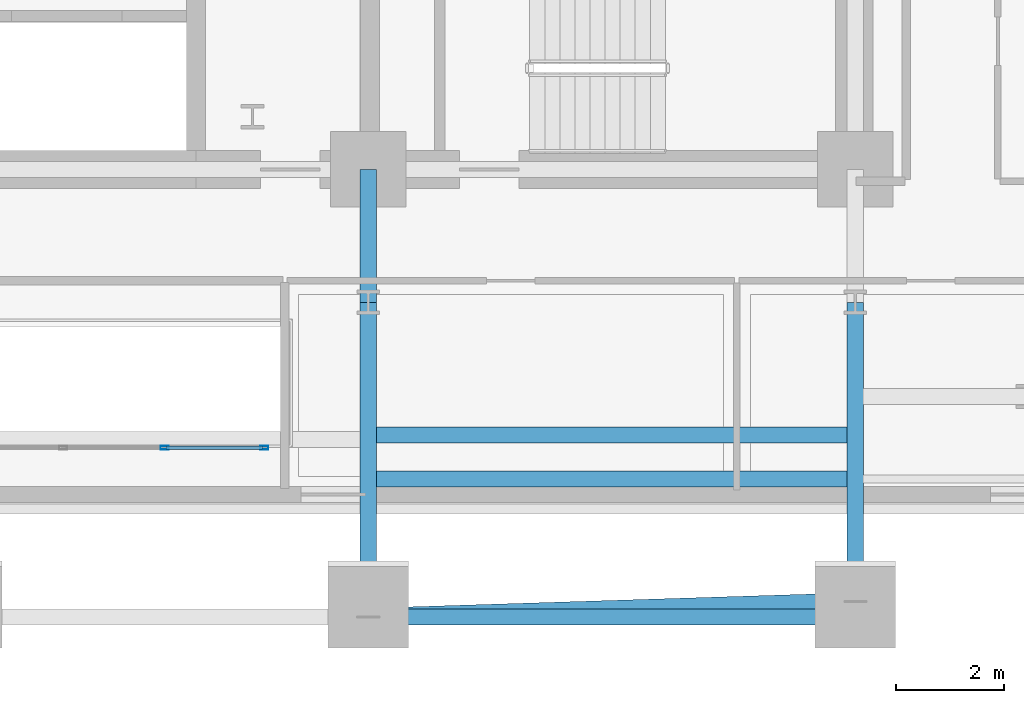
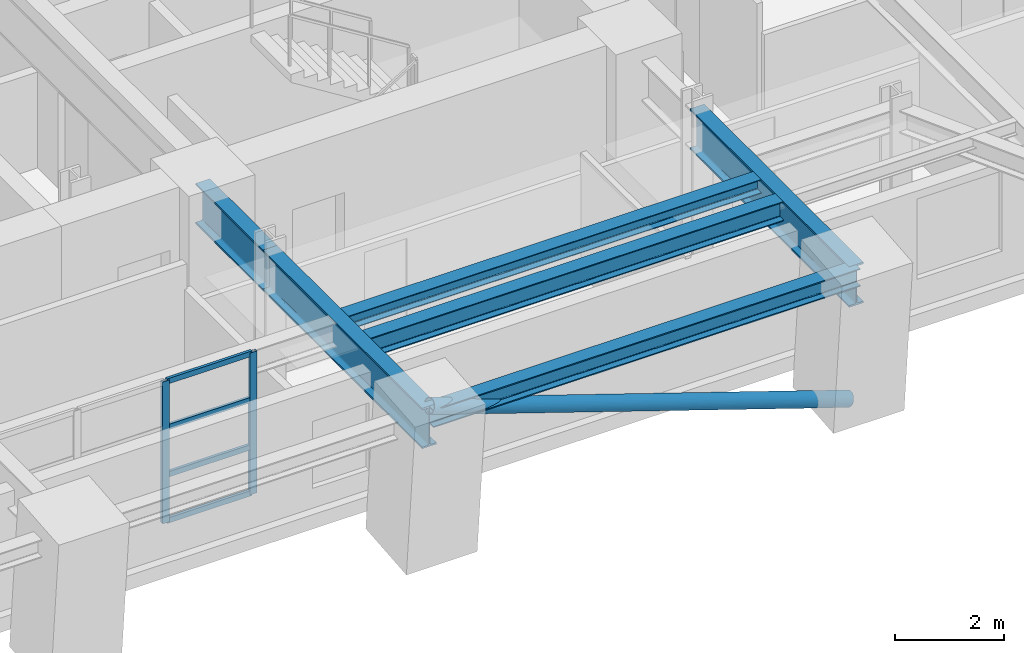
# One storey, part 4 of 15: 7 members, 6 beams, 1 element without a shape of its own.
"""IFC4 building model written with IfcOpenShell, lengths in metres."""

from ifc_helpers import new_model, si_unit, direction, frame, origin, origin_2d, place, context, subcontext, project, spatial, hollow_rectangle, hollow_circle, i_section, extrude, material, layer, layer_set, material_profile, profile_set, type_object, element, aggregate, save


model = new_model("IFC4")

# Units and contexts
model_context = context("Model", 3, precision=1e-05, world=origin(), true_north=direction((0.0, 1.0)))
body_context = subcontext(model_context, "Body", "Model", "MODEL_VIEW")
ifc_project = project(units=[si_unit("LENGTHUNIT", "METRE"), si_unit("AREAUNIT", "SQUARE_METRE"), si_unit("VOLUMEUNIT", "CUBIC_METRE"), si_unit("PLANEANGLEUNIT", "RADIAN"), si_unit("MASSUNIT", "GRAM", prefix="KILO")], contexts=[model_context])

# Site, building, storey
site_placement = place(None, origin())
site = spatial("IfcSite", under=ifc_project, at=site_placement, CompositionType="ELEMENT")
building_placement = place(site_placement, origin())
building = spatial("IfcBuilding", under=site, at=building_placement, Name="Zarnavel Station Tower", CompositionType="ELEMENT")
storey_placement = place(building_placement, frame((0.0, 0.0, 71.0)))
storey = spatial("IfcBuildingStorey", under=building, at=storey_placement, Name="L19", CompositionType="ELEMENT", Elevation=71.0)

# Curtain wall, members
ifc_material_1 = material(Name="Aluminium Dark Anodised and Solar-Control Glass", Category="aluminium")
ifc_layer = layer(ifc_material_1, 0.179931640625)
ifc_layer_set = layer_set([ifc_layer], Name="CWS2")
curtain_wall_type = type_object("IfcCurtainWallType", Name="CWS2", PredefinedType="NOTDEFINED", material=ifc_layer_set)
curtain_wall_placement = place(storey_placement, origin())
curtain_wall = element("IfcCurtainWall", 1, at=curtain_wall_placement, inside=storey, type_object=curtain_wall_type, Name="L19 Curtain Wall CWS2-L19-AS", PredefinedType="NOTDEFINED")
ifc_material_2 = material(Name="Steel S355J2 (Black Fluoropolymer Coated)", Category="steel")
ifc_material_profile_1 = material_profile(ifc_material_2, hollow_rectangle(XDim=0.074951171875, YDim=0.14990234375, WallThickness=0.00634765625, at=origin_2d()), Name="RHS150x75x6.3")
ifc_profile_set_1 = profile_set([ifc_material_profile_1], Name="Steel S355J2 (Black Fluoropolymer Coated)")
member_type_1 = type_object("IfcMemberType", Name="CWS2_MUL", PredefinedType="MULLION", material=ifc_profile_set_1)
member_1_placement = place(storey_placement, frame((32.566650390625, 22.64990234375, 0.0), z_axis=(0.0, 0.0, 1.0), x_axis=(0.0, 1.0, 0.0)))
member_1 = element("IfcMember", 2, at=member_1_placement, type_object=member_type_1, Name="CW2 mullion 6", PredefinedType="MULLION", context=body_context, shape_type="SweptSolid", body=[
    extrude(hollow_rectangle(XDim=0.074951171875, YDim=0.14990234375, WallThickness=0.00634765625, at=origin_2d()), origin(), (0.0, 0.0, 1.0), 3.179931640625),
])
member_2_placement = place(storey_placement, frame((34.419921875, 22.64990234375, 0.0), z_axis=(0.0, 0.0, 1.0), x_axis=(0.0, 1.0, 0.0)))
member_2 = element("IfcMember", 3, at=member_2_placement, type_object=member_type_1, Name="CW2 mullion 7", PredefinedType="MULLION", context=body_context, shape_type="SweptSolid", body=[
    extrude(hollow_rectangle(XDim=0.074951171875, YDim=0.14990234375, WallThickness=0.00634765625, at=origin_2d()), origin(), (0.0, 0.0, 1.0), 3.179931640625),
])
ifc_material_3 = material(Name="Steel S355J2 (Black Fluoropolymer Coated)", Category="steel")
ifc_material_profile_2 = material_profile(ifc_material_3, hollow_rectangle(XDim=0.06005859375, YDim=0.1201171875, WallThickness=0.0048828125, at=origin_2d()), Name="RHS120x60x5")
ifc_profile_set_2 = profile_set([ifc_material_profile_2], Name="Steel S355J2 (Black Fluoropolymer Coated)")
member_type_2 = type_object("IfcMemberType", Name="CWS2_TRN", PredefinedType="USERDEFINED", material=ifc_profile_set_2)
member_3_placement = place(storey_placement, frame((32.5966796875, 22.64990234375, 0.030029296875), z_axis=(1.0, 0.0, 0.0), x_axis=(0.0, 1.0, 0.0)))
member_3 = element("IfcMember", 4, at=member_3_placement, type_object=member_type_2, Name="CW2 transom 6.1", ObjectType="TRANSOM", PredefinedType="USERDEFINED", context=body_context, shape_type="SweptSolid", body=[
    extrude(hollow_rectangle(XDim=0.06005859375, YDim=0.1201171875, WallThickness=0.0048828125, at=origin_2d()), origin(), (0.0, 0.0, 1.0), 1.793212890625),
])
member_4_placement = place(storey_placement, frame((32.5966796875, 22.64990234375, 1.06005859375), z_axis=(1.0, 0.0, 0.0), x_axis=(0.0, 1.0, 0.0)))
member_4 = element("IfcMember", 5, at=member_4_placement, type_object=member_type_2, Name="CW2 transom 6.2", ObjectType="TRANSOM", PredefinedType="USERDEFINED", context=body_context, shape_type="SweptSolid", body=[
    extrude(hollow_rectangle(XDim=0.06005859375, YDim=0.1201171875, WallThickness=0.0048828125, at=origin_2d()), origin(), (0.0, 0.0, 1.0), 1.793212890625),
])
member_5_placement = place(storey_placement, frame((32.5966796875, 22.64990234375, 2.1201171875), z_axis=(1.0, 0.0, 0.0), x_axis=(0.0, 1.0, 0.0)))
member_5 = element("IfcMember", 6, at=member_5_placement, type_object=member_type_2, Name="CW2 transom 6.3", ObjectType="TRANSOM", PredefinedType="USERDEFINED", context=body_context, shape_type="SweptSolid", body=[
    extrude(hollow_rectangle(XDim=0.06005859375, YDim=0.1201171875, WallThickness=0.0048828125, at=origin_2d()), origin(), (0.0, 0.0, 1.0), 1.793212890625),
])
member_6_placement = place(storey_placement, frame((32.5966796875, 22.64990234375, 3.14990234375), z_axis=(1.0, 0.0, 0.0), x_axis=(0.0, 1.0, 0.0)))
member_6 = element("IfcMember", 7, at=member_6_placement, type_object=member_type_2, Name="CW2 transom 6.4", ObjectType="TRANSOM", PredefinedType="USERDEFINED", context=body_context, shape_type="SweptSolid", body=[
    extrude(hollow_rectangle(XDim=0.06005859375, YDim=0.1201171875, WallThickness=0.0048828125, at=origin_2d()), origin(), (0.0, 0.0, 1.0), 1.793212890625),
])
aggregate(curtain_wall, [member_1, member_2, member_3, member_4, member_5, member_6])

# Member
ifc_material_4 = material(Name="Steel S355J2", Category="steel")
ifc_material_profile_3 = material_profile(ifc_material_4, hollow_circle(Radius=0.161865234375, WallThickness=0.012451171875, at=origin_2d()), Name="CHS323.9x12.5")
ifc_profile_set_3 = profile_set([ifc_material_profile_3], Name="Steel S355J2")
member_type_3 = type_object("IfcMemberType", Name="DB_EXT_CHS324", PredefinedType="BRACE", material=ifc_profile_set_3)
member_7_placement = place(storey_placement, frame((45.39990234375, 19.7939453125, 0.0), z_axis=(-0.943026111745, -0.030019715438, 0.331361689476), x_axis=(0.031817270124, -0.999493702492, 0.0)))
element("IfcMember", 8, at=member_7_placement, inside=storey, type_object=member_type_3, Name="L19 Persian Exterior Diagonal Frame Brace 2", PredefinedType="BRACE", context=body_context, shape_type="SweptSolid", body=[
    extrude(hollow_circle(Radius=0.161865234375, WallThickness=0.012451171875, at=origin_2d()), origin(), (0.0, 0.0, 1.0), 9.5966796875),
])

# Beams
ifc_material_5 = material(Name="Steel S355J2", Category="steel")
ifc_material_profile_4 = material_profile(ifc_material_5, i_section(OverallWidth=0.300048828125, OverallDepth=0.39990234375, WebThickness=0.013427734375, FlangeThickness=0.02392578125, FilletRadius=0.027099609375, at=origin_2d()), Name="HEB400")
ifc_profile_set_4 = profile_set([ifc_material_profile_4], Name="Steel S355J2")
beam_type_1 = type_object("IfcBeamType", Name="EB_HEB400", PredefinedType="SPANDREL", material=ifc_profile_set_4)
beam_1_placement = place(storey_placement, frame((36.35009765625, 19.505859375, 2.97998046875), z_axis=(1.0, 0.0, 0.0), x_axis=(0.0, 1.0, 0.0)))
element("IfcBeam", 9, at=beam_1_placement, inside=storey, type_object=beam_type_1, Name="L19 South Raked Spandrel 4", PredefinedType="SPANDREL", context=body_context, shape_type="SweptSolid", body=[
    extrude(i_section(OverallWidth=0.300048828125, OverallDepth=0.39990234375, WebThickness=0.013427734375, FlangeThickness=0.02392578125, FilletRadius=0.027099609375, at=origin_2d()), origin(), (0.0, 0.0, 1.0), 9.0498046875),
])
ifc_material_6 = material(Name="Steel S355J2", Category="steel")
ifc_material_profile_5 = material_profile(ifc_material_6, i_section(OverallWidth=0.300048828125, OverallDepth=0.31005859375, WebThickness=0.009033203125, FlangeThickness=0.015380859375, FilletRadius=0.027099609375, at=origin_2d()), Name="HEA320")
ifc_profile_set_5 = profile_set([ifc_material_profile_5], Name="Steel S355J2")
beam_type_2 = type_object("IfcBeamType", Name="FB_HEA320", PredefinedType="BEAM", material=ifc_profile_set_5)
beam_2_placement = place(storey_placement, frame((36.4951171875, 22.88525390625, 3.02490234375), z_axis=(1.0, 0.0, 0.0), x_axis=(0.0, 1.0, 0.0)))
element("IfcBeam", 10, at=beam_2_placement, inside=storey, type_object=beam_type_2, Name="L19 East Bay Beam 2", PredefinedType="BEAM", context=body_context, shape_type="SweptSolid", body=[
    extrude(i_section(OverallWidth=0.300048828125, OverallDepth=0.31005859375, WebThickness=0.009033203125, FlangeThickness=0.015380859375, FilletRadius=0.027099609375, at=origin_2d()), origin(), (0.0, 0.0, 1.0), 8.759765625),
])
ifc_material_7 = material(Name="Steel S355J2", Category="steel")
ifc_material_profile_6 = material_profile(ifc_material_7, i_section(OverallWidth=0.300048828125, OverallDepth=0.43994140625, WebThickness=0.011474609375, FlangeThickness=0.02099609375, FilletRadius=0.027099609375, at=origin_2d()), Name="HEA450")
ifc_profile_set_6 = profile_set([ifc_material_profile_6], Name="Steel S355J2")
beam_type_3 = type_object("IfcBeamType", Name="FB_HEA450", PredefinedType="BEAM", material=ifc_profile_set_6)
beam_3_placement = place(storey_placement, frame((36.4951171875, 22.070556640625, 2.9599609375), z_axis=(1.0, 0.0, 0.0), x_axis=(0.0, 1.0, 0.0)))
element("IfcBeam", 11, at=beam_3_placement, inside=storey, type_object=beam_type_3, Name="L19 East Bay Beam 1", PredefinedType="BEAM", context=body_context, shape_type="SweptSolid", body=[
    extrude(i_section(OverallWidth=0.300048828125, OverallDepth=0.43994140625, WebThickness=0.011474609375, FlangeThickness=0.02099609375, FilletRadius=0.027099609375, at=origin_2d()), origin(), (0.0, 0.0, 1.0), 8.759765625),
])
ifc_material_8 = material(Name="Steel S460M", Category="steel")
ifc_material_profile_7 = material_profile(ifc_material_8, i_section(OverallWidth=0.302001953125, OverallDepth=0.909912109375, WebThickness=0.02099609375, FlangeThickness=0.0400390625, FilletRadius=0.030029296875, at=origin_2d()), Name="HEM900")
ifc_profile_set_7 = profile_set([ifc_material_profile_7], Name="Steel S460M")
beam_type_4 = type_object("IfcBeamType", Name="TG_HEM900", PredefinedType="USERDEFINED", material=ifc_profile_set_7)
beam_4_placement = place(storey_placement, frame((36.35009765625, 19.505859375, 2.72509765625), z_axis=(0.0, 1.0, 0.0), x_axis=(-1.0, 0.0, 0.0)))
element("IfcBeam", 12, at=beam_4_placement, inside=storey, type_object=beam_type_4, Name="L19 South-Zone NS Girder 4", ObjectType="GIRDER", PredefinedType="USERDEFINED", context=body_context, shape_type="SweptSolid", body=[
    extrude(i_section(OverallWidth=0.302001953125, OverallDepth=0.909912109375, WebThickness=0.02099609375, FlangeThickness=0.0400390625, FilletRadius=0.030029296875, at=origin_2d()), origin(), (0.0, 0.0, 1.0), 5.84423828125),
])
beam_5_placement = place(storey_placement, frame((36.35009765625, 25.35009765625, 2.72509765625), z_axis=(0.0, 1.0, 0.0), x_axis=(-1.0, 0.0, 0.0)))
element("IfcBeam", 13, at=beam_5_placement, inside=storey, type_object=beam_type_4, Name="L19 Inner-Zone NS Girder 4", ObjectType="GIRDER", PredefinedType="USERDEFINED", context=body_context, shape_type="SweptSolid", body=[
    extrude(i_section(OverallWidth=0.302001953125, OverallDepth=0.909912109375, WebThickness=0.02099609375, FlangeThickness=0.0400390625, FilletRadius=0.030029296875, at=origin_2d()), origin(), (0.0, 0.0, 1.0), 2.469970703125),
])
beam_6_placement = place(storey_placement, frame((45.39990234375, 19.505859375, 2.72509765625), z_axis=(0.0, 1.0, 0.0), x_axis=(-1.0, 0.0, 0.0)))
element("IfcBeam", 14, at=beam_6_placement, inside=storey, type_object=beam_type_4, Name="L19 South-Zone NS Girder 5", ObjectType="GIRDER", PredefinedType="USERDEFINED", context=body_context, shape_type="SweptSolid", body=[
    extrude(i_section(OverallWidth=0.302001953125, OverallDepth=0.909912109375, WebThickness=0.02099609375, FlangeThickness=0.0400390625, FilletRadius=0.030029296875, at=origin_2d()), origin(), (0.0, 0.0, 1.0), 5.84423828125),
])

save(model, "model.ifc")
